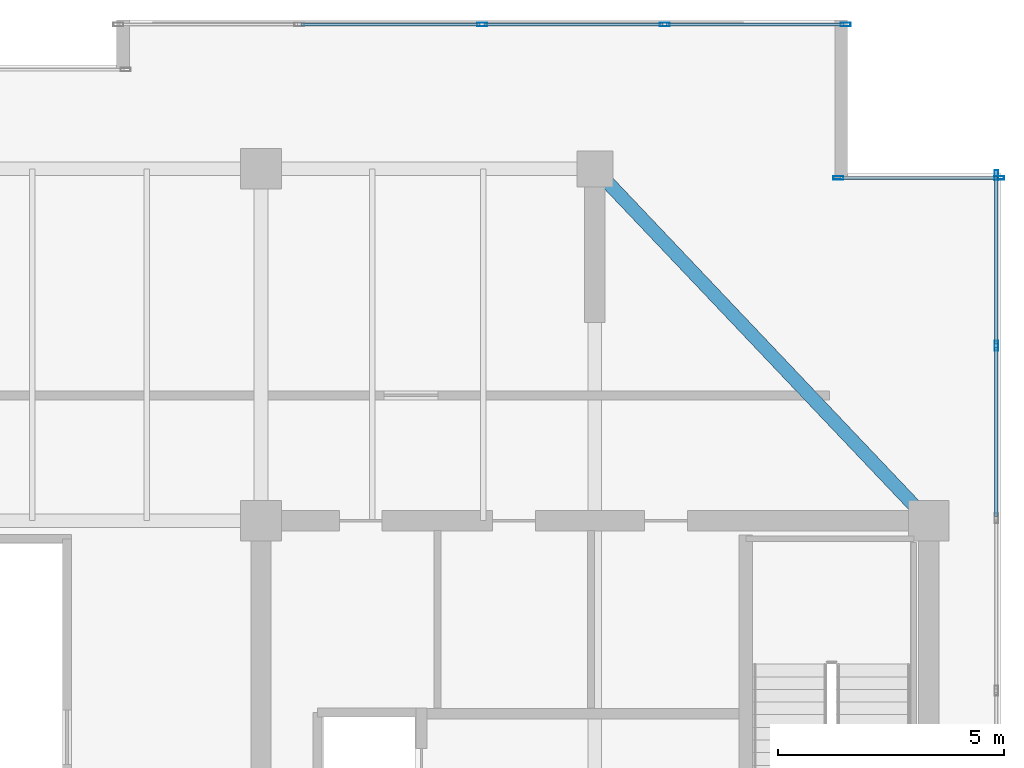
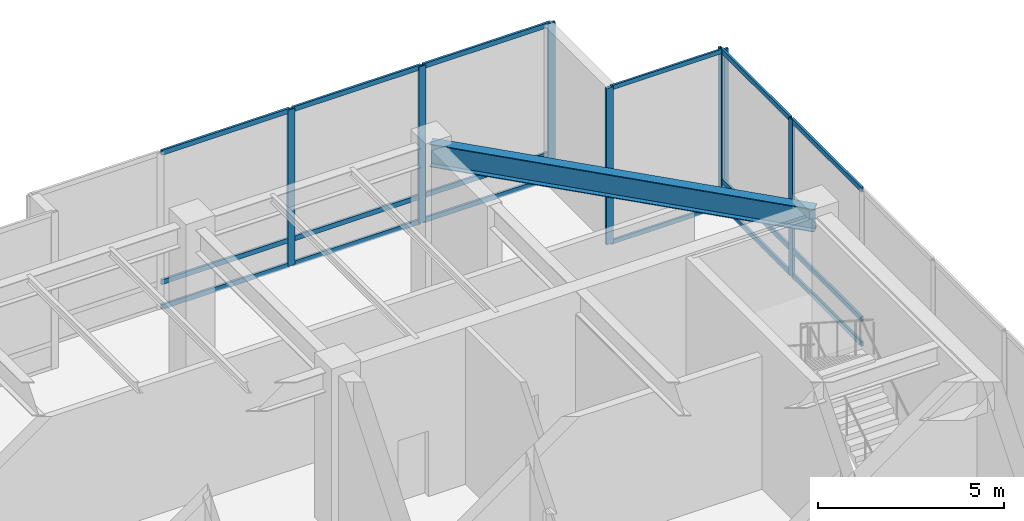
# One storey, part 22 of 30: 24 members, 1 beam, 3 elements without a shape of their own.
"""IFC4 building model written with IfcOpenShell, lengths in metres."""

from ifc_helpers import new_model, si_unit, direction, frame, origin, origin_2d, place, context, subcontext, project, spatial, hollow_rectangle, i_section, extrude, source, transform, mapped, material, layer, layer_set, material_profile, profile_set, type_object, type_shapes, element, aggregate, save


model = new_model("IFC4")

# Units and contexts
model_context = context("Model", 3, precision=1e-05, world=origin(), true_north=direction((0.0, 1.0)))
body_context = subcontext(model_context, "Body", "Model", "MODEL_VIEW")
ifc_project = project(units=[si_unit("LENGTHUNIT", "METRE"), si_unit("AREAUNIT", "SQUARE_METRE"), si_unit("VOLUMEUNIT", "CUBIC_METRE"), si_unit("PLANEANGLEUNIT", "RADIAN"), si_unit("MASSUNIT", "GRAM", prefix="KILO")], contexts=[model_context])

# Site, building, storey
site_placement = place(None, origin())
site = spatial("IfcSite", under=ifc_project, at=site_placement, CompositionType="ELEMENT")
building_placement = place(site_placement, origin())
building = spatial("IfcBuilding", under=site, at=building_placement, Name="Haelvirn Gate Laboratories", CompositionType="ELEMENT")
storey_placement = place(building_placement, frame((0.0, 0.0, 332.39990234375)))
storey = spatial("IfcBuildingStorey", under=building, at=storey_placement, Name="L79", CompositionType="ELEMENT", Elevation=332.39990234375)

# Beam
ifc_material_1 = material(Name="Steel SM355", Category="steel")
ifc_material_profile_1 = material_profile(ifc_material_1, i_section(OverallWidth=0.300048828125, OverallDepth=0.75, WebThickness=0.013916015625, FlangeThickness=0.02392578125, at=origin_2d()), Name="H-750x300x14x24")
ifc_profile_set_1 = profile_set([ifc_material_profile_1], Name="Steel SM355")
beam_type = type_object("IfcBeamType", Name="BM-G-750", PredefinedType="BEAM", material=ifc_profile_set_1)
shared_shape_1 = source(origin(), body_context, "Body", "SweptSolid", [
    extrude(i_section(OverallWidth=0.300048828125, OverallDepth=0.75, WebThickness=0.013916015625, FlangeThickness=0.02392578125, at=origin_2d()), origin(), (0.0, 0.0, 1.0), 10.751708984375),
])
type_shapes(beam_type, [shared_shape_1])
beam_placement = place(storey_placement, frame((60.0, 41.60009765625, 4.7451171875), z_axis=(0.688253384031, -0.725470384902, 0.0), x_axis=(0.725470384902, 0.688253384031, 0.0)))
element("IfcBeam", 1, at=beam_placement, inside=storey, type_object=beam_type, Name="L79 Crown Corner Tie Girder NE", PredefinedType="BEAM", context=body_context, shape_type="MappedRepresentation", body=[
    mapped(shared_shape_1, transform((0.0, 0.0, 0.0), scale=1.0)),
])

# Curtain wall, members
ifc_material_2 = material(Name="Anodised bronze unitised aluminium & triple low-E glass", Category="aluminium")
ifc_layer_1 = layer(ifc_material_2, 0.181884765625, Name="CW-SYS-5")
ifc_layer_set_1 = layer_set([ifc_layer_1], Name="Anodised bronze unitised aluminium & triple low-E glass")
curtain_wall_type_1 = type_object("IfcCurtainWallType", Name="CW-SYS-5", PredefinedType="NOTDEFINED", material=ifc_layer_set_1)
curtain_wall_1_placement = place(storey_placement, origin())
curtain_wall_1 = element("IfcCurtainWall", 2, at=curtain_wall_1_placement, inside=storey, type_object=curtain_wall_type_1, Name="L79 Unitised Curtain Wall CW-L79-P0-E08-1", PredefinedType="NOTDEFINED")
ifc_material_3 = material(Name="Extruded aluminium 6063-T6 (anodised bronze)", Category="aluminium")
ifc_material_profile_2 = material_profile(ifc_material_3, hollow_rectangle(XDim=0.06494140625, YDim=0.139892578125, WallThickness=0.00390625, at=origin_2d()), Name="CWT-140x65x4")
ifc_profile_set_2 = profile_set([ifc_material_profile_2], Name="Extruded aluminium 6063-T6 (anodised bronze)")
member_type_1 = type_object("IfcMemberType", Name="CWT-T140", PredefinedType="USERDEFINED", material=ifc_profile_set_2)
shared_shape_2 = source(origin(), body_context, "Body", "SweptSolid", [
    extrude(hollow_rectangle(XDim=0.06494140625, YDim=0.139892578125, WallThickness=0.00390625, at=origin_2d()), origin(), (0.0, 0.0, 1.0), 3.47998046875),
])
type_shapes(member_type_1, [shared_shape_2])
member_1_placement = place(storey_placement, frame((65.43994140625, 41.39990234375, 0.03271484375), z_axis=(1.0, 0.0, 0.0), x_axis=(0.0, 1.0, 0.0)))
member_1 = element("IfcMember", 3, at=member_1_placement, type_object=member_type_1, Name="CW5 transom 1.1", ObjectType="TRANSOM", PredefinedType="USERDEFINED", context=body_context, shape_type="MappedRepresentation", body=[
    mapped(shared_shape_2, transform((0.0, 0.0, 0.0), scale=1.0)),
])
member_2_placement = place(storey_placement, frame((65.43994140625, 41.39990234375, 5.087646484375), z_axis=(1.0, 0.0, 0.0), x_axis=(0.0, 1.0, 0.0)))
member_2 = element("IfcMember", 4, at=member_2_placement, type_object=member_type_1, Name="CW5 transom 1.2", ObjectType="TRANSOM", PredefinedType="USERDEFINED", context=body_context, shape_type="MappedRepresentation", body=[
    mapped(shared_shape_2, transform((0.0, 0.0, 0.0), scale=1.0)),
])

ifc_layer_2 = layer(ifc_material_2, 0.19189453125, Name="CW-SYS-6")
ifc_layer_set_2 = layer_set([ifc_layer_2], Name="Anodised bronze unitised aluminium & triple low-E glass")
curtain_wall_type_2 = type_object("IfcCurtainWallType", Name="CW-SYS-6", PredefinedType="NOTDEFINED", material=ifc_layer_set_2)
curtain_wall_2_placement = place(storey_placement, origin())
curtain_wall_2 = element("IfcCurtainWall", 5, at=curtain_wall_2_placement, inside=storey, type_object=curtain_wall_type_2, Name="L79 Unitised Curtain Wall CW-L79-P0-E07", PredefinedType="NOTDEFINED")
ifc_material_profile_3 = material_profile(ifc_material_3, hollow_rectangle(XDim=0.080078125, YDim=0.219970703125, WallThickness=0.006103515625, at=origin_2d()), Name="CWM-220x80x6")
ifc_profile_set_3 = profile_set([ifc_material_profile_3], Name="Extruded aluminium 6063-T6 (anodised bronze)")
member_type_2 = type_object("IfcMemberType", Name="CWM-T220", PredefinedType="MULLION", material=ifc_profile_set_3)
shared_shape_3 = source(origin(), body_context, "Body", "SweptSolid", [
    extrude(hollow_rectangle(XDim=0.080078125, YDim=0.219970703125, WallThickness=0.006103515625, at=origin_2d()), origin(), (0.0, 0.0, 1.0), 5.1201171875),
])
type_shapes(member_type_2, [shared_shape_3])
member_3_placement = place(storey_placement, frame((68.89990234375, 37.677734375, 0.0), z_axis=(0.0, 0.0, 1.0), x_axis=(-1.0, 0.0, 0.0)))
member_3 = element("IfcMember", 6, at=member_3_placement, type_object=member_type_2, Name="CW6 mullion 9", PredefinedType="MULLION", context=body_context, shape_type="MappedRepresentation", body=[
    mapped(shared_shape_3, transform((0.0, 0.0, 0.0), scale=1.0)),
])
member_4_placement = place(storey_placement, frame((68.89990234375, 41.4599609375, 0.0), z_axis=(0.0, 0.0, 1.0), x_axis=(-1.0, 0.0, 0.0)))
member_4 = element("IfcMember", 7, at=member_4_placement, type_object=member_type_2, Name="CW6 mullion 10", PredefinedType="MULLION", context=body_context, shape_type="MappedRepresentation", body=[
    mapped(shared_shape_3, transform((0.0, 0.0, 0.0), scale=1.0)),
])

# Member
member_5_placement = place(storey_placement, frame((65.39990234375, 41.39990234375, 0.0), z_axis=(0.0, 0.0, 1.0), x_axis=(0.0, 1.0, 0.0)))
member_5 = element("IfcMember", 8, at=member_5_placement, type_object=member_type_2, Name="CW5 mullion 1", PredefinedType="MULLION", context=body_context, shape_type="MappedRepresentation", body=[
    mapped(shared_shape_3, transform((0.0, 0.0, 0.0), scale=1.0)),
])

member_6_placement = place(storey_placement, frame((68.9599609375, 41.39990234375, 0.0), z_axis=(0.0, 0.0, 1.0), x_axis=(0.0, 1.0, 0.0)))
member_6 = element("IfcMember", 9, at=member_6_placement, type_object=member_type_2, Name="CW5 mullion 2", PredefinedType="MULLION", context=body_context, shape_type="MappedRepresentation", body=[
    mapped(shared_shape_3, transform((0.0, 0.0, 0.0), scale=1.0)),
])

aggregate(curtain_wall_1, [member_5, member_6, member_1, member_2])

# Curtain wall, members
curtain_wall_3_placement = place(storey_placement, origin())
curtain_wall_3 = element("IfcCurtainWall", 10, at=curtain_wall_3_placement, inside=storey, type_object=curtain_wall_type_2, Name="L79 Unitised Curtain Wall CW-L79-P0-E10-1", PredefinedType="NOTDEFINED")
member_7_placement = place(storey_placement, frame((57.5, 44.800048828125, 0.0), z_axis=(0.0, 0.0, 1.0), x_axis=(0.0, 1.0, 0.0)))
member_7 = element("IfcMember", 11, at=member_7_placement, type_object=member_type_2, Name="CW6 mullion 3", PredefinedType="MULLION", context=body_context, shape_type="MappedRepresentation", body=[
    mapped(shared_shape_3, transform((0.0, 0.0, 0.0), scale=1.0)),
])
member_8_placement = place(storey_placement, frame((61.550048828125, 44.800048828125, 0.0), z_axis=(0.0, 0.0, 1.0), x_axis=(0.0, 1.0, 0.0)))
member_8 = element("IfcMember", 12, at=member_8_placement, type_object=member_type_2, Name="CW6 mullion 4", PredefinedType="MULLION", context=body_context, shape_type="MappedRepresentation", body=[
    mapped(shared_shape_3, transform((0.0, 0.0, 0.0), scale=1.0)),
])
member_9_placement = place(storey_placement, frame((65.56005859375, 44.800048828125, 0.0), z_axis=(0.0, 0.0, 1.0), x_axis=(0.0, 1.0, 0.0)))
member_9 = element("IfcMember", 13, at=member_9_placement, type_object=member_type_2, Name="CW6 mullion 5", PredefinedType="MULLION", context=body_context, shape_type="MappedRepresentation", body=[
    mapped(shared_shape_3, transform((0.0, 0.0, 0.0), scale=1.0)),
])
ifc_material_profile_4 = material_profile(ifc_material_3, hollow_rectangle(XDim=0.070068359375, YDim=0.159912109375, WallThickness=0.0048828125, at=origin_2d()), Name="CWT-160x70x5")
ifc_profile_set_4 = profile_set([ifc_material_profile_4], Name="Extruded aluminium 6063-T6 (anodised bronze)")
member_type_3 = type_object("IfcMemberType", Name="CWT-T160", PredefinedType="USERDEFINED", material=ifc_profile_set_4)
shared_shape_4 = source(origin(), body_context, "Body", "SweptSolid", [
    extrude(hollow_rectangle(XDim=0.070068359375, YDim=0.159912109375, WallThickness=0.0048828125, at=origin_2d()), origin(), (0.0, 0.0, 1.0), 3.929931640625),
])
member_10_placement = place(storey_placement, frame((61.590087890625, 44.800048828125, 0.03515625), z_axis=(1.0, 0.0, 0.0), x_axis=(0.0, 1.0, 0.0)))
member_10 = element("IfcMember", 14, at=member_10_placement, type_object=member_type_3, Name="CW6 transom 4.1", ObjectType="TRANSOM", PredefinedType="USERDEFINED", context=body_context, shape_type="MappedRepresentation", body=[
    mapped(shared_shape_4, transform((0.0, 0.0, 0.0), scale=1.0)),
])
member_11_placement = place(storey_placement, frame((61.590087890625, 44.800048828125, 0.85009765625), z_axis=(1.0, 0.0, 0.0), x_axis=(0.0, 1.0, 0.0)))
member_11 = element("IfcMember", 15, at=member_11_placement, type_object=member_type_3, Name="CW6 transom 4.2", ObjectType="TRANSOM", PredefinedType="USERDEFINED", context=body_context, shape_type="MappedRepresentation", body=[
    mapped(shared_shape_4, transform((0.0, 0.0, 0.0), scale=1.0)),
])
member_12_placement = place(storey_placement, frame((61.590087890625, 44.800048828125, 5.085205078125), z_axis=(1.0, 0.0, 0.0), x_axis=(0.0, 1.0, 0.0)))
member_12 = element("IfcMember", 16, at=member_12_placement, type_object=member_type_3, Name="CW6 transom 4.3", ObjectType="TRANSOM", PredefinedType="USERDEFINED", context=body_context, shape_type="MappedRepresentation", body=[
    mapped(shared_shape_4, transform((0.0, 0.0, 0.0), scale=1.0)),
])
shared_shape_5 = source(origin(), body_context, "Body", "SweptSolid", [
    extrude(hollow_rectangle(XDim=0.070068359375, YDim=0.159912109375, WallThickness=0.0048828125, at=origin_2d()), origin(), (0.0, 0.0, 1.0), 3.969970703125),
])
member_13_placement = place(storey_placement, frame((53.489990234375, 44.800048828125, 0.03515625), z_axis=(1.0, 0.0, 0.0), x_axis=(0.0, 1.0, 0.0)))
member_13 = element("IfcMember", 17, at=member_13_placement, type_object=member_type_3, Name="CW6 transom 2.1", ObjectType="TRANSOM", PredefinedType="USERDEFINED", context=body_context, shape_type="MappedRepresentation", body=[
    mapped(shared_shape_5, transform((0.0, 0.0, 0.0), scale=1.0)),
])
member_14_placement = place(storey_placement, frame((53.489990234375, 44.800048828125, 0.85009765625), z_axis=(1.0, 0.0, 0.0), x_axis=(0.0, 1.0, 0.0)))
member_14 = element("IfcMember", 18, at=member_14_placement, type_object=member_type_3, Name="CW6 transom 2.2", ObjectType="TRANSOM", PredefinedType="USERDEFINED", context=body_context, shape_type="MappedRepresentation", body=[
    mapped(shared_shape_5, transform((0.0, 0.0, 0.0), scale=1.0)),
])
member_15_placement = place(storey_placement, frame((53.489990234375, 44.800048828125, 5.085205078125), z_axis=(1.0, 0.0, 0.0), x_axis=(0.0, 1.0, 0.0)))
member_15 = element("IfcMember", 19, at=member_15_placement, type_object=member_type_3, Name="CW6 transom 2.3", ObjectType="TRANSOM", PredefinedType="USERDEFINED", context=body_context, shape_type="MappedRepresentation", body=[
    mapped(shared_shape_5, transform((0.0, 0.0, 0.0), scale=1.0)),
])
member_16_placement = place(storey_placement, frame((57.5400390625, 44.800048828125, 0.03515625), z_axis=(1.0, 0.0, 0.0), x_axis=(0.0, 1.0, 0.0)))
member_16 = element("IfcMember", 20, at=member_16_placement, type_object=member_type_3, Name="CW6 transom 3.1", ObjectType="TRANSOM", PredefinedType="USERDEFINED", context=body_context, shape_type="MappedRepresentation", body=[
    mapped(shared_shape_5, transform((0.0, 0.0, 0.0), scale=1.0)),
])
member_17_placement = place(storey_placement, frame((57.5400390625, 44.800048828125, 0.85009765625), z_axis=(1.0, 0.0, 0.0), x_axis=(0.0, 1.0, 0.0)))
member_17 = element("IfcMember", 21, at=member_17_placement, type_object=member_type_3, Name="CW6 transom 3.2", ObjectType="TRANSOM", PredefinedType="USERDEFINED", context=body_context, shape_type="MappedRepresentation", body=[
    mapped(shared_shape_5, transform((0.0, 0.0, 0.0), scale=1.0)),
])
member_18_placement = place(storey_placement, frame((57.5400390625, 44.800048828125, 5.085205078125), z_axis=(1.0, 0.0, 0.0), x_axis=(0.0, 1.0, 0.0)))
member_18 = element("IfcMember", 22, at=member_18_placement, type_object=member_type_3, Name="CW6 transom 3.3", ObjectType="TRANSOM", PredefinedType="USERDEFINED", context=body_context, shape_type="MappedRepresentation", body=[
    mapped(shared_shape_5, transform((0.0, 0.0, 0.0), scale=1.0)),
])
aggregate(curtain_wall_3, [member_7, member_8, member_9, member_13, member_14, member_15, member_16, member_17, member_18, member_10, member_11, member_12])

# Member
shared_shape_6 = source(origin(), body_context, "Body", "SweptSolid", [
    extrude(hollow_rectangle(XDim=0.070068359375, YDim=0.159912109375, WallThickness=0.0048828125, at=origin_2d()), origin(), (0.0, 0.0, 1.0), 3.7421875),
])
member_19_placement = place(storey_placement, frame((68.89990234375, 33.8955078125, 0.03515625), z_axis=(0.0, 1.0, 0.0), x_axis=(-1.0, 0.0, 0.0)))
member_19 = element("IfcMember", 23, at=member_19_placement, type_object=member_type_3, Name="CW6 transom 8.1", ObjectType="TRANSOM", PredefinedType="USERDEFINED", context=body_context, shape_type="MappedRepresentation", body=[
    mapped(shared_shape_6, transform((0.0, 0.0, 0.0), scale=1.0)),
])

member_20_placement = place(storey_placement, frame((68.89990234375, 33.8955078125, 0.85009765625), z_axis=(0.0, 1.0, 0.0), x_axis=(-1.0, 0.0, 0.0)))
member_20 = element("IfcMember", 24, at=member_20_placement, type_object=member_type_3, Name="CW6 transom 8.2", ObjectType="TRANSOM", PredefinedType="USERDEFINED", context=body_context, shape_type="MappedRepresentation", body=[
    mapped(shared_shape_6, transform((0.0, 0.0, 0.0), scale=1.0)),
])

member_21_placement = place(storey_placement, frame((68.89990234375, 33.8955078125, 5.085205078125), z_axis=(0.0, 1.0, 0.0), x_axis=(-1.0, 0.0, 0.0)))
member_21 = element("IfcMember", 25, at=member_21_placement, type_object=member_type_3, Name="CW6 transom 8.3", ObjectType="TRANSOM", PredefinedType="USERDEFINED", context=body_context, shape_type="MappedRepresentation", body=[
    mapped(shared_shape_6, transform((0.0, 0.0, 0.0), scale=1.0)),
])

shared_shape_7 = source(origin(), body_context, "Body", "SweptSolid", [
    extrude(hollow_rectangle(XDim=0.070068359375, YDim=0.159912109375, WallThickness=0.0048828125, at=origin_2d()), origin(), (0.0, 0.0, 1.0), 3.7021484375),
])
type_shapes(member_type_3, [shared_shape_4, shared_shape_5, shared_shape_6, shared_shape_7])
member_22_placement = place(storey_placement, frame((68.89990234375, 37.7177734375, 0.03515625), z_axis=(0.0, 1.0, 0.0), x_axis=(-1.0, 0.0, 0.0)))
member_22 = element("IfcMember", 26, at=member_22_placement, type_object=member_type_3, Name="CW6 transom 9.1", ObjectType="TRANSOM", PredefinedType="USERDEFINED", context=body_context, shape_type="MappedRepresentation", body=[
    mapped(shared_shape_7, transform((0.0, 0.0, 0.0), scale=1.0)),
])

member_23_placement = place(storey_placement, frame((68.89990234375, 37.7177734375, 0.85009765625), z_axis=(0.0, 1.0, 0.0), x_axis=(-1.0, 0.0, 0.0)))
member_23 = element("IfcMember", 27, at=member_23_placement, type_object=member_type_3, Name="CW6 transom 9.2", ObjectType="TRANSOM", PredefinedType="USERDEFINED", context=body_context, shape_type="MappedRepresentation", body=[
    mapped(shared_shape_7, transform((0.0, 0.0, 0.0), scale=1.0)),
])

member_24_placement = place(storey_placement, frame((68.89990234375, 37.7177734375, 5.085205078125), z_axis=(0.0, 1.0, 0.0), x_axis=(-1.0, 0.0, 0.0)))
member_24 = element("IfcMember", 28, at=member_24_placement, type_object=member_type_3, Name="CW6 transom 9.3", ObjectType="TRANSOM", PredefinedType="USERDEFINED", context=body_context, shape_type="MappedRepresentation", body=[
    mapped(shared_shape_7, transform((0.0, 0.0, 0.0), scale=1.0)),
])

aggregate(curtain_wall_2, [member_3, member_4, member_19, member_20, member_21, member_22, member_23, member_24])

save(model, "model.ifc")
